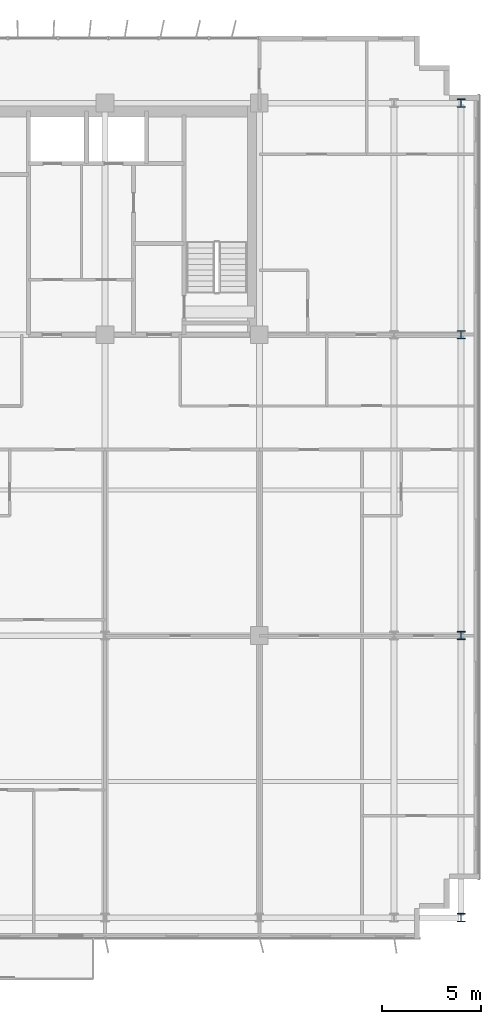
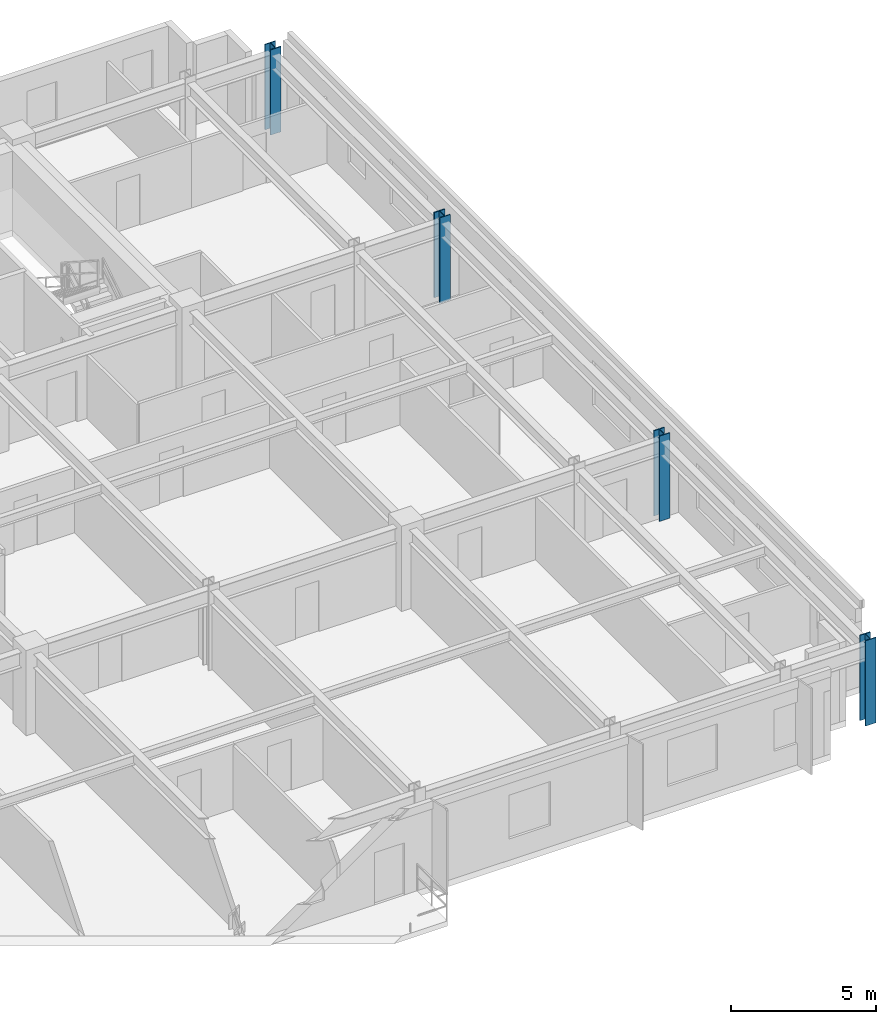
# One storey, part 3 of 22: 4 columns.
"""IFC4 building model written with IfcOpenShell, lengths in metres."""

from ifc_helpers import new_model, si_unit, direction, frame, origin, origin_2d, place, context, subcontext, project, spatial, i_section, extrude, source, transform, mapped, material, material_profile, profile_set, type_object, element, save


model = new_model("IFC4")

# Units and contexts
model_context = context("Model", 3, precision=1e-05, world=origin(), true_north=direction((0.0, 1.0)))
body_context = subcontext(model_context, "Body", "Model", "MODEL_VIEW")
ifc_project = project(units=[si_unit("LENGTHUNIT", "METRE"), si_unit("AREAUNIT", "SQUARE_METRE"), si_unit("VOLUMEUNIT", "CUBIC_METRE"), si_unit("PLANEANGLEUNIT", "RADIAN"), si_unit("MASSUNIT", "GRAM", prefix="KILO")], contexts=[model_context])

# Site, building, storey
site_placement = place(None, origin())
site = spatial("IfcSite", under=ifc_project, at=site_placement, CompositionType="ELEMENT")
building_placement = place(site_placement, origin())
building = spatial("IfcBuilding", under=site, at=building_placement, Name="Trelvane Seafront Commons", CompositionType="ELEMENT")
storey_placement = place(building_placement, frame((0.0, 0.0, 48.699951171875)))
storey = spatial("IfcBuildingStorey", under=building, at=storey_placement, Name="L12", CompositionType="ELEMENT", Elevation=48.699951171875)

# Columns
ifc_material = material(Name="Steel SM355 (S355)", Category="steel")
ifc_material_profile = material_profile(ifc_material, i_section(OverallWidth=0.419921875, OverallDepth=0.419921875, WebThickness=0.02587890625, FlangeThickness=0.0400390625, at=origin_2d()), Name="HD-420x420x26x40")
ifc_profile_set = profile_set([ifc_material_profile], Name="Steel SM355 (S355)")
column_type = type_object("IfcColumnType", Name="STR-COL-HD420", PredefinedType="COLUMN", material=ifc_profile_set)
shared_shape = source(origin(), body_context, "Body", "SweptSolid", [
    extrude(i_section(OverallWidth=0.419921875, OverallDepth=0.419921875, WebThickness=0.02587890625, FlangeThickness=0.0400390625, at=origin_2d()), origin(), (0.0, 0.0, 1.0), 3.60009765625),
])
for number, where, z_axis, x_axis, name in (
    (1, (69.0, 3.949951171875, 0.0), (0.0, 0.0, 1.0), (1.0, 0.0, 0.0), "L12 Column TC-S69.0"),
    (2, (69.0, 18.199951171875, 0.0), (0.0, 0.0, 1.0), (1.0, 0.0, 0.0), "L12 Column TC-M69.0"),
    (3, (69.0, 33.39990234375, 0.0), (0.0, 0.0, 1.0), (1.0, 0.0, 0.0), "L12 Column TC-CS69.0"),
    (4, (69.0, 45.10009765625, 0.0), (0.0, 0.0, 1.0), (1.0, 0.0, 0.0), "L12 Column TC-CN69.0"),
):
    element("IfcColumn", number, at=place(storey_placement, frame(where, z_axis=z_axis, x_axis=x_axis)), inside=storey, type_object=column_type, Name=name, PredefinedType="COLUMN", context=body_context, shape_type="MappedRepresentation", body=[
        mapped(shared_shape, transform((0.0, 0.0, 0.0), x_axis=(1.0, 0.0, 0.0), y_axis=(0.0, 1.0, 0.0), z_axis=(0.0, 0.0, 1.0), scale=1.0)),
    ])

save(model, "model.ifc")
